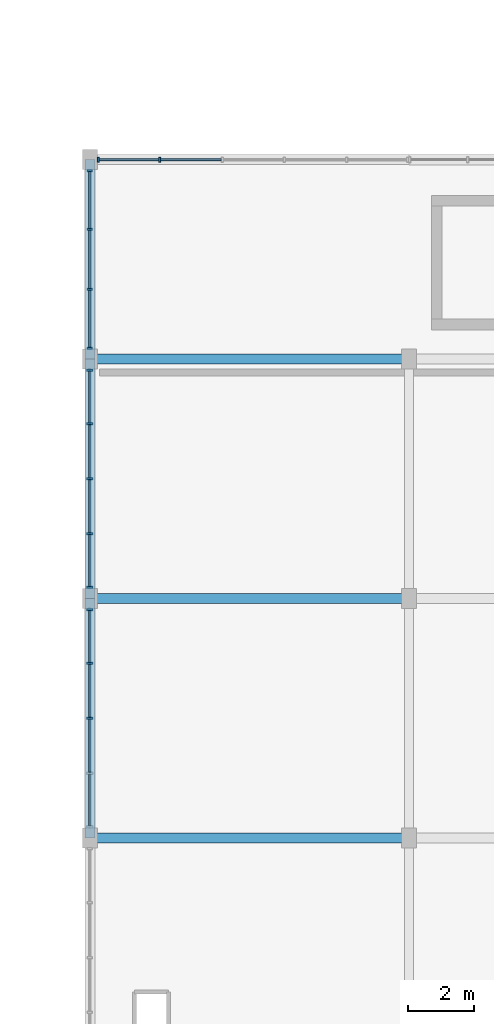
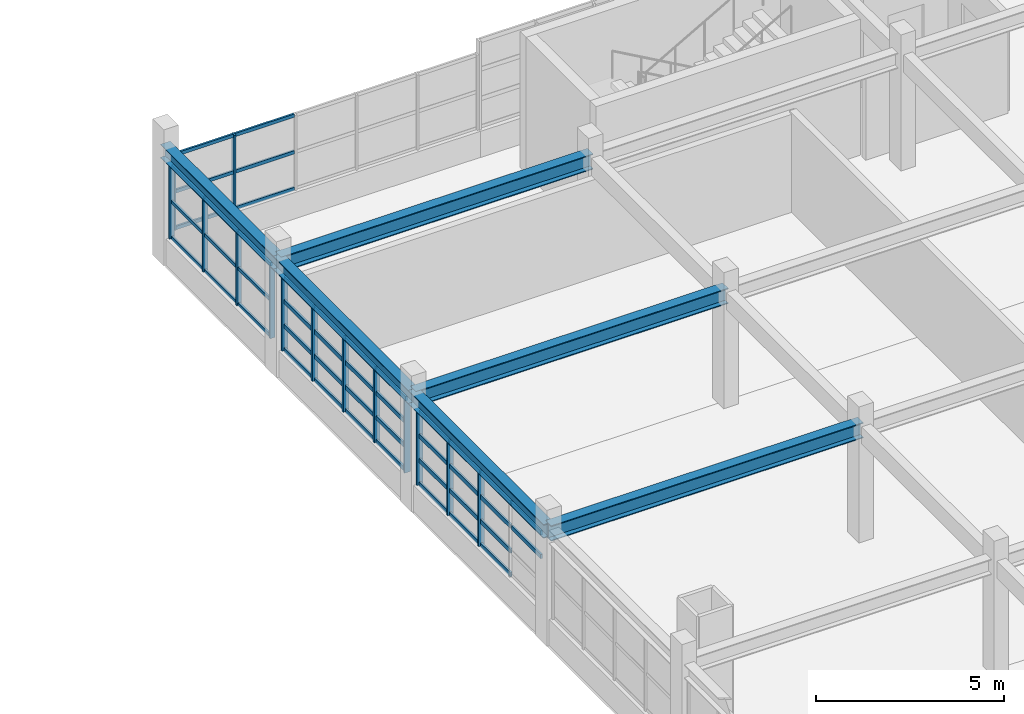
# One storey, part 10 of 69: 59 members, 6 beams, 4 elements without a shape of their own.
"""IFC4 building model written with IfcOpenShell, lengths in metres."""

from ifc_helpers import new_model, si_unit, direction, frame, origin, origin_2d, place, context, subcontext, project, spatial, rectangle, i_section, extrude, material, material_profile, profile_set, type_object, element, aggregate, save


model = new_model("IFC4")

# Units and contexts
model_context = context("Model", 3, precision=1e-05, world=origin(), true_north=direction((0.0, 1.0)))
body_context = subcontext(model_context, "Body", "Model", "MODEL_VIEW")
ifc_project = project(units=[si_unit("LENGTHUNIT", "METRE"), si_unit("AREAUNIT", "SQUARE_METRE"), si_unit("VOLUMEUNIT", "CUBIC_METRE"), si_unit("PLANEANGLEUNIT", "RADIAN"), si_unit("MASSUNIT", "GRAM", prefix="KILO")], contexts=[model_context])

# Site, building, storey
site_placement = place(None, origin())
site = spatial("IfcSite", under=ifc_project, at=site_placement, CompositionType="ELEMENT")
building_placement = place(site_placement, origin())
building = spatial("IfcBuilding", under=site, at=building_placement, Name="Nzembalo Square Collegiate School", CompositionType="ELEMENT")
storey_placement = place(building_placement, frame((0.0, 0.0, 5.10009765625)))
storey = spatial("IfcBuildingStorey", under=building, at=storey_placement, Name="L01", CompositionType="ELEMENT", Elevation=5.10009765625)

# Beams
ifc_material_1 = material(Name="Steel S355", Category="steel")
ifc_material_profile_1 = material_profile(ifc_material_1, i_section(OverallWidth=0.300048828125, OverallDepth=0.5, WebThickness=0.014404296875, FlangeThickness=0.028076171875, at=origin_2d()), Name="HEB 500")
ifc_profile_set_1 = profile_set([ifc_material_profile_1], Name="Steel S355")
beam_type_1 = type_object("IfcBeamType", Name="B07", PredefinedType="BEAM", material=ifc_profile_set_1)
for number, where, z_axis, x_axis, name in (
    (1, (130.800048828125, 30.0, 3.5), (1.0, 0.0, 0.0), (0.0, 1.0, 0.0), "Beam B07 L01"),
    (2, (130.800048828125, 37.199951171875, 3.5), (1.0, 0.0, 0.0), (0.0, 1.0, 0.0), "Beam B07 L01"),
    (3, (130.800048828125, 44.39990234375, 3.5), (1.0, 0.0, 0.0), (0.0, 1.0, 0.0), "Beam B07 L01"),
):
    element("IfcBeam", number, at=place(storey_placement, frame(where, z_axis=z_axis, x_axis=x_axis)), inside=storey, type_object=beam_type_1, Name=name, PredefinedType="BEAM", context=body_context, shape_type="SweptSolid", body=[
        extrude(i_section(OverallWidth=0.300048828125, OverallDepth=0.5, WebThickness=0.014404296875, FlangeThickness=0.028076171875, at=origin_2d()), origin(), (0.0, 0.0, 1.0), 9.599853515625),
    ])
ifc_material_2 = material(Name="Steel S355", Category="steel")
ifc_material_profile_2 = material_profile(ifc_material_2, i_section(OverallWidth=0.300048828125, OverallDepth=0.449951171875, WebThickness=0.013916015625, FlangeThickness=0.02587890625, at=origin_2d()), Name="HEB 450")
ifc_profile_set_2 = profile_set([ifc_material_profile_2], Name="Steel S355")
beam_type_2 = type_object("IfcBeamType", Name="B08", PredefinedType="BEAM", material=ifc_profile_set_2)
for number, where, z_axis, x_axis, name in (
    (4, (130.800048828125, 30.0, 3.52490234375), (0.0, 1.0, 0.0), (-1.0, 0.0, 0.0), "Beam B08 L01"),
    (5, (130.800048828125, 37.199951171875, 3.52490234375), (0.0, 1.0, 0.0), (-1.0, 0.0, 0.0), "Beam B08 L01"),
):
    element("IfcBeam", number, at=place(storey_placement, frame(where, z_axis=z_axis, x_axis=x_axis)), inside=storey, type_object=beam_type_2, Name=name, PredefinedType="BEAM", context=body_context, shape_type="SweptSolid", body=[
        extrude(i_section(OverallWidth=0.300048828125, OverallDepth=0.449951171875, WebThickness=0.013916015625, FlangeThickness=0.02587890625, at=origin_2d()), origin(), (0.0, 0.0, 1.0), 7.199951171875),
    ])
beam_placement = place(storey_placement, frame((130.800048828125, 44.39990234375, 3.52490234375), z_axis=(0.0, 1.0, 0.0), x_axis=(-1.0, 0.0, 0.0)))
element("IfcBeam", 6, at=beam_placement, inside=storey, type_object=beam_type_2, Name="Beam B08 L01", PredefinedType="BEAM", context=body_context, shape_type="SweptSolid", body=[
    extrude(i_section(OverallWidth=0.300048828125, OverallDepth=0.449951171875, WebThickness=0.013916015625, FlangeThickness=0.02587890625, at=origin_2d()), origin(), (0.0, 0.0, 1.0), 6.0),
])

# Curtain wall, members
ifc_material_3 = material(Name="Aluminium 6060-T66", Category="aluminium")
curtain_wall_type_1 = type_object("IfcCurtainWallType", Name="CW-01", PredefinedType="USERDEFINED", material=ifc_material_3)
curtain_wall_1_placement = place(storey_placement, origin())
curtain_wall_1 = element("IfcCurtainWall", 7, at=curtain_wall_1_placement, inside=storey, type_object=curtain_wall_type_1, Name="Curtain wall CW-01 cw:L01:056", ObjectType="UNITISED", PredefinedType="USERDEFINED")
ifc_material_4 = material(Name="Aluminium 6060-T66", Category="aluminium")
ifc_material_profile_3 = material_profile(ifc_material_4, rectangle(XDim=0.06005859375, YDim=0.179931640625, at=origin_2d()), Name="ALU M60x180")
ifc_profile_set_3 = profile_set([ifc_material_profile_3], Name="Aluminium 6060-T66")
member_type_1 = type_object("IfcMemberType", Name="ML01", PredefinedType="MULLION", material=ifc_profile_set_3)
member_1_placement = place(storey_placement, frame((130.800048828125, 33.60009765625, 0.849853515625), z_axis=(0.0, 0.0, 1.0), x_axis=(0.0, 1.0, 0.0)))
member_1 = element("IfcMember", 8, at=member_1_placement, type_object=member_type_1, Name="ML01 mullion 3", PredefinedType="MULLION", context=body_context, shape_type="SweptSolid", body=[
    extrude(rectangle(XDim=0.06005859375, YDim=0.179931640625, at=origin_2d()), origin(), (0.0, 0.0, 1.0), 2.39404296875),
])
member_2_placement = place(storey_placement, frame((130.800048828125, 35.2490234375, 0.849853515625), z_axis=(0.0, 0.0, 1.0), x_axis=(0.0, 1.0, 0.0)))
member_2 = element("IfcMember", 9, at=member_2_placement, type_object=member_type_1, Name="ML01 mullion 4", PredefinedType="MULLION", context=body_context, shape_type="SweptSolid", body=[
    extrude(rectangle(XDim=0.06005859375, YDim=0.179931640625, at=origin_2d()), origin(), (0.0, 0.0, 1.0), 2.39404296875),
])
member_3_placement = place(storey_placement, frame((130.800048828125, 36.867919921875, 0.849853515625), z_axis=(0.0, 0.0, 1.0), x_axis=(0.0, 1.0, 0.0)))
member_3 = element("IfcMember", 10, at=member_3_placement, type_object=member_type_1, Name="ML01 mullion 5", PredefinedType="MULLION", context=body_context, shape_type="SweptSolid", body=[
    extrude(rectangle(XDim=0.06005859375, YDim=0.179931640625, at=origin_2d()), origin(), (0.0, 0.0, 1.0), 2.39404296875),
])

ifc_material_5 = material(Name="Aluminium 6060-T66", Category="aluminium")
curtain_wall_type_2 = type_object("IfcCurtainWallType", Name="CW-02", PredefinedType="USERDEFINED", material=ifc_material_5)
curtain_wall_2_placement = place(storey_placement, origin())
curtain_wall_2 = element("IfcCurtainWall", 11, at=curtain_wall_2_placement, inside=storey, type_object=curtain_wall_type_2, Name="Curtain wall CW-02 cw:L01:057", ObjectType="UNITISED", PredefinedType="USERDEFINED")
member_4_placement = place(storey_placement, frame((130.800048828125, 37.531982421875, 0.849853515625), z_axis=(0.0, 0.0, 1.0), x_axis=(0.0, 1.0, 0.0)))
member_4 = element("IfcMember", 12, at=member_4_placement, type_object=member_type_1, Name="ML01 mullion 1", PredefinedType="MULLION", context=body_context, shape_type="SweptSolid", body=[
    extrude(rectangle(XDim=0.06005859375, YDim=0.179931640625, at=origin_2d()), origin(), (0.0, 0.0, 1.0), 2.39404296875),
])
member_5_placement = place(storey_placement, frame((130.800048828125, 39.15087890625, 0.849853515625), z_axis=(0.0, 0.0, 1.0), x_axis=(0.0, 1.0, 0.0)))
member_5 = element("IfcMember", 13, at=member_5_placement, type_object=member_type_1, Name="ML01 mullion 2", PredefinedType="MULLION", context=body_context, shape_type="SweptSolid", body=[
    extrude(rectangle(XDim=0.06005859375, YDim=0.179931640625, at=origin_2d()), origin(), (0.0, 0.0, 1.0), 2.39404296875),
])
member_6_placement = place(storey_placement, frame((130.800048828125, 40.800048828125, 0.849853515625), z_axis=(0.0, 0.0, 1.0), x_axis=(0.0, 1.0, 0.0)))
member_6 = element("IfcMember", 14, at=member_6_placement, type_object=member_type_1, Name="ML01 mullion 3", PredefinedType="MULLION", context=body_context, shape_type="SweptSolid", body=[
    extrude(rectangle(XDim=0.06005859375, YDim=0.179931640625, at=origin_2d()), origin(), (0.0, 0.0, 1.0), 2.39404296875),
])
member_7_placement = place(storey_placement, frame((130.800048828125, 42.448974609375, 0.849853515625), z_axis=(0.0, 0.0, 1.0), x_axis=(0.0, 1.0, 0.0)))
member_7 = element("IfcMember", 15, at=member_7_placement, type_object=member_type_1, Name="ML01 mullion 4", PredefinedType="MULLION", context=body_context, shape_type="SweptSolid", body=[
    extrude(rectangle(XDim=0.06005859375, YDim=0.179931640625, at=origin_2d()), origin(), (0.0, 0.0, 1.0), 2.39404296875),
])
member_8_placement = place(storey_placement, frame((130.800048828125, 44.068115234375, 0.849853515625), z_axis=(0.0, 0.0, 1.0), x_axis=(0.0, 1.0, 0.0)))
member_8 = element("IfcMember", 16, at=member_8_placement, type_object=member_type_1, Name="ML01 mullion 5", PredefinedType="MULLION", context=body_context, shape_type="SweptSolid", body=[
    extrude(rectangle(XDim=0.06005859375, YDim=0.179931640625, at=origin_2d()), origin(), (0.0, 0.0, 1.0), 2.39404296875),
])

ifc_material_6 = material(Name="Aluminium 6060-T66", Category="aluminium")
curtain_wall_type_3 = type_object("IfcCurtainWallType", Name="CW-15", PredefinedType="USERDEFINED", material=ifc_material_6)
curtain_wall_3_placement = place(storey_placement, origin())
curtain_wall_3 = element("IfcCurtainWall", 17, at=curtain_wall_3_placement, inside=storey, type_object=curtain_wall_type_3, Name="Curtain wall CW-15 cw:L01:058", ObjectType="LANCET", PredefinedType="USERDEFINED")
ifc_material_7 = material(Name="Aluminium 6060-T66", Category="aluminium")
ifc_material_profile_4 = material_profile(ifc_material_7, rectangle(XDim=0.06005859375, YDim=0.14990234375, at=origin_2d()), Name="ALU M60x150")
ifc_profile_set_4 = profile_set([ifc_material_profile_4], Name="Aluminium 6060-T66")
member_type_2 = type_object("IfcMemberType", Name="ML02", PredefinedType="MULLION", material=ifc_profile_set_4)
member_9_placement = place(storey_placement, frame((130.800048828125, 44.73193359375, 0.849853515625), z_axis=(0.0, 0.0, 1.0), x_axis=(0.0, 1.0, 0.0)))
member_9 = element("IfcMember", 18, at=member_9_placement, type_object=member_type_2, Name="ML02 mullion 1", PredefinedType="MULLION", context=body_context, shape_type="SweptSolid", body=[
    extrude(rectangle(XDim=0.06005859375, YDim=0.14990234375, at=origin_2d()), origin(), (0.0, 0.0, 1.0), 2.39404296875),
])
member_10_placement = place(storey_placement, frame((130.800048828125, 46.500732421875, 0.849853515625), z_axis=(0.0, 0.0, 1.0), x_axis=(0.0, 1.0, 0.0)))
member_10 = element("IfcMember", 19, at=member_10_placement, type_object=member_type_2, Name="ML02 mullion 2", PredefinedType="MULLION", context=body_context, shape_type="SweptSolid", body=[
    extrude(rectangle(XDim=0.06005859375, YDim=0.14990234375, at=origin_2d()), origin(), (0.0, 0.0, 1.0), 2.39404296875),
])
member_11_placement = place(storey_placement, frame((130.800048828125, 48.29931640625, 0.849853515625), z_axis=(0.0, 0.0, 1.0), x_axis=(0.0, 1.0, 0.0)))
member_11 = element("IfcMember", 20, at=member_11_placement, type_object=member_type_2, Name="ML02 mullion 3", PredefinedType="MULLION", context=body_context, shape_type="SweptSolid", body=[
    extrude(rectangle(XDim=0.06005859375, YDim=0.14990234375, at=origin_2d()), origin(), (0.0, 0.0, 1.0), 2.39404296875),
])
member_12_placement = place(storey_placement, frame((130.800048828125, 50.068115234375, 0.849853515625), z_axis=(0.0, 0.0, 1.0), x_axis=(0.0, 1.0, 0.0)))
member_12 = element("IfcMember", 21, at=member_12_placement, type_object=member_type_2, Name="ML02 mullion 4", PredefinedType="MULLION", context=body_context, shape_type="SweptSolid", body=[
    extrude(rectangle(XDim=0.06005859375, YDim=0.14990234375, at=origin_2d()), origin(), (0.0, 0.0, 1.0), 2.39404296875),
])

ifc_material_8 = material(Name="Aluminium 6060-T66", Category="aluminium")
curtain_wall_type_4 = type_object("IfcCurtainWallType", Name="CW-12", PredefinedType="USERDEFINED", material=ifc_material_8)
curtain_wall_4_placement = place(storey_placement, origin())
curtain_wall_4 = element("IfcCurtainWall", 22, at=curtain_wall_4_placement, inside=storey, type_object=curtain_wall_type_4, Name="Curtain wall CW-12 cw:L01:059", ObjectType="LANCET", PredefinedType="USERDEFINED")
member_13_placement = place(storey_placement, frame((131.056884765625, 50.39990234375, 0.849853515625), z_axis=(0.0, 0.0, 1.0), x_axis=(1.0, 0.0, 0.0)))
member_13 = element("IfcMember", 23, at=member_13_placement, type_object=member_type_2, Name="ML02 mullion 1", PredefinedType="MULLION", context=body_context, shape_type="SweptSolid", body=[
    extrude(rectangle(XDim=0.06005859375, YDim=0.14990234375, at=origin_2d()), origin(), (0.0, 0.0, 1.0), 2.444091796875),
])
member_14_placement = place(storey_placement, frame((132.901611328125, 50.39990234375, 0.849853515625), z_axis=(0.0, 0.0, 1.0), x_axis=(1.0, 0.0, 0.0)))
member_14 = element("IfcMember", 24, at=member_14_placement, type_object=member_type_2, Name="ML02 mullion 2", PredefinedType="MULLION", context=body_context, shape_type="SweptSolid", body=[
    extrude(rectangle(XDim=0.06005859375, YDim=0.14990234375, at=origin_2d()), origin(), (0.0, 0.0, 1.0), 2.444091796875),
])

# Member
ifc_material_9 = material(Name="Aluminium 6060-T66", Category="aluminium")
ifc_material_profile_5 = material_profile(ifc_material_9, rectangle(XDim=0.06005859375, YDim=0.139892578125, at=origin_2d()), Name="ALU T60x140")
ifc_profile_set_5 = profile_set([ifc_material_profile_5], Name="Aluminium 6060-T66")
member_type_3 = type_object("IfcMemberType", Name="TR01", PredefinedType="USERDEFINED", material=ifc_profile_set_5)
member_15_placement = place(storey_placement, frame((130.800048828125, 31.98095703125, 0.8798828125), z_axis=(0.0, 1.0, 0.0), x_axis=(-1.0, 0.0, 0.0)))
member_15 = element("IfcMember", 25, at=member_15_placement, type_object=member_type_3, Name="TR01 transom 1-2", ObjectType="TRANSOM", PredefinedType="USERDEFINED", context=body_context, shape_type="SweptSolid", body=[
    extrude(rectangle(XDim=0.06005859375, YDim=0.139892578125, at=origin_2d()), origin(), (0.0, 0.0, 1.0), 1.589111328125),
])

member_16_placement = place(storey_placement, frame((130.800048828125, 33.6298828125, 0.8798828125), z_axis=(0.0, 1.0, 0.0), x_axis=(-1.0, 0.0, 0.0)))
member_16 = element("IfcMember", 26, at=member_16_placement, type_object=member_type_3, Name="TR01 transom 1-3", ObjectType="TRANSOM", PredefinedType="USERDEFINED", context=body_context, shape_type="SweptSolid", body=[
    extrude(rectangle(XDim=0.06005859375, YDim=0.139892578125, at=origin_2d()), origin(), (0.0, 0.0, 1.0), 1.589111328125),
])

member_17_placement = place(storey_placement, frame((130.800048828125, 35.279052734375, 0.8798828125), z_axis=(0.0, 1.0, 0.0), x_axis=(-1.0, 0.0, 0.0)))
member_17 = element("IfcMember", 27, at=member_17_placement, type_object=member_type_3, Name="TR01 transom 1-4", ObjectType="TRANSOM", PredefinedType="USERDEFINED", context=body_context, shape_type="SweptSolid", body=[
    extrude(rectangle(XDim=0.06005859375, YDim=0.139892578125, at=origin_2d()), origin(), (0.0, 0.0, 1.0), 1.558837890625),
])

member_18_placement = place(storey_placement, frame((130.800048828125, 31.98095703125, 1.64794921875), z_axis=(0.0, 1.0, 0.0), x_axis=(-1.0, 0.0, 0.0)))
member_18 = element("IfcMember", 28, at=member_18_placement, type_object=member_type_3, Name="TR01 transom 2-2", ObjectType="TRANSOM", PredefinedType="USERDEFINED", context=body_context, shape_type="SweptSolid", body=[
    extrude(rectangle(XDim=0.06005859375, YDim=0.139892578125, at=origin_2d()), origin(), (0.0, 0.0, 1.0), 1.589111328125),
])

member_19_placement = place(storey_placement, frame((130.800048828125, 33.6298828125, 1.64794921875), z_axis=(0.0, 1.0, 0.0), x_axis=(-1.0, 0.0, 0.0)))
member_19 = element("IfcMember", 29, at=member_19_placement, type_object=member_type_3, Name="TR01 transom 2-3", ObjectType="TRANSOM", PredefinedType="USERDEFINED", context=body_context, shape_type="SweptSolid", body=[
    extrude(rectangle(XDim=0.06005859375, YDim=0.139892578125, at=origin_2d()), origin(), (0.0, 0.0, 1.0), 1.589111328125),
])

member_20_placement = place(storey_placement, frame((130.800048828125, 35.279052734375, 1.64794921875), z_axis=(0.0, 1.0, 0.0), x_axis=(-1.0, 0.0, 0.0)))
member_20 = element("IfcMember", 30, at=member_20_placement, type_object=member_type_3, Name="TR01 transom 2-4", ObjectType="TRANSOM", PredefinedType="USERDEFINED", context=body_context, shape_type="SweptSolid", body=[
    extrude(rectangle(XDim=0.06005859375, YDim=0.139892578125, at=origin_2d()), origin(), (0.0, 0.0, 1.0), 1.558837890625),
])

member_21_placement = place(storey_placement, frame((130.800048828125, 30.362060546875, 2.44580078125), z_axis=(0.0, 1.0, 0.0), x_axis=(-1.0, 0.0, 0.0)))
member_21 = element("IfcMember", 31, at=member_21_placement, type_object=member_type_3, Name="TR01 transom 3-1", ObjectType="TRANSOM", PredefinedType="USERDEFINED", context=body_context, shape_type="SweptSolid", body=[
    extrude(rectangle(XDim=0.06005859375, YDim=0.139892578125, at=origin_2d()), origin(), (0.0, 0.0, 1.0), 1.558837890625),
])

member_22_placement = place(storey_placement, frame((130.800048828125, 31.98095703125, 2.44580078125), z_axis=(0.0, 1.0, 0.0), x_axis=(-1.0, 0.0, 0.0)))
member_22 = element("IfcMember", 32, at=member_22_placement, type_object=member_type_3, Name="TR01 transom 3-2", ObjectType="TRANSOM", PredefinedType="USERDEFINED", context=body_context, shape_type="SweptSolid", body=[
    extrude(rectangle(XDim=0.06005859375, YDim=0.139892578125, at=origin_2d()), origin(), (0.0, 0.0, 1.0), 1.589111328125),
])

member_23_placement = place(storey_placement, frame((130.800048828125, 33.6298828125, 2.44580078125), z_axis=(0.0, 1.0, 0.0), x_axis=(-1.0, 0.0, 0.0)))
member_23 = element("IfcMember", 33, at=member_23_placement, type_object=member_type_3, Name="TR01 transom 3-3", ObjectType="TRANSOM", PredefinedType="USERDEFINED", context=body_context, shape_type="SweptSolid", body=[
    extrude(rectangle(XDim=0.06005859375, YDim=0.139892578125, at=origin_2d()), origin(), (0.0, 0.0, 1.0), 1.589111328125),
])

member_24_placement = place(storey_placement, frame((130.800048828125, 35.279052734375, 2.44580078125), z_axis=(0.0, 1.0, 0.0), x_axis=(-1.0, 0.0, 0.0)))
member_24 = element("IfcMember", 34, at=member_24_placement, type_object=member_type_3, Name="TR01 transom 3-4", ObjectType="TRANSOM", PredefinedType="USERDEFINED", context=body_context, shape_type="SweptSolid", body=[
    extrude(rectangle(XDim=0.06005859375, YDim=0.139892578125, at=origin_2d()), origin(), (0.0, 0.0, 1.0), 1.558837890625),
])

member_25_placement = place(storey_placement, frame((130.800048828125, 30.362060546875, 3.2138671875), z_axis=(0.0, 1.0, 0.0), x_axis=(-1.0, 0.0, 0.0)))
member_25 = element("IfcMember", 35, at=member_25_placement, type_object=member_type_3, Name="TR01 transom 4-1", ObjectType="TRANSOM", PredefinedType="USERDEFINED", context=body_context, shape_type="SweptSolid", body=[
    extrude(rectangle(XDim=0.06005859375, YDim=0.139892578125, at=origin_2d()), origin(), (0.0, 0.0, 1.0), 1.558837890625),
])

member_26_placement = place(storey_placement, frame((130.800048828125, 31.98095703125, 3.2138671875), z_axis=(0.0, 1.0, 0.0), x_axis=(-1.0, 0.0, 0.0)))
member_26 = element("IfcMember", 36, at=member_26_placement, type_object=member_type_3, Name="TR01 transom 4-2", ObjectType="TRANSOM", PredefinedType="USERDEFINED", context=body_context, shape_type="SweptSolid", body=[
    extrude(rectangle(XDim=0.06005859375, YDim=0.139892578125, at=origin_2d()), origin(), (0.0, 0.0, 1.0), 1.589111328125),
])

member_27_placement = place(storey_placement, frame((130.800048828125, 33.6298828125, 3.2138671875), z_axis=(0.0, 1.0, 0.0), x_axis=(-1.0, 0.0, 0.0)))
member_27 = element("IfcMember", 37, at=member_27_placement, type_object=member_type_3, Name="TR01 transom 4-3", ObjectType="TRANSOM", PredefinedType="USERDEFINED", context=body_context, shape_type="SweptSolid", body=[
    extrude(rectangle(XDim=0.06005859375, YDim=0.139892578125, at=origin_2d()), origin(), (0.0, 0.0, 1.0), 1.589111328125),
])

member_28_placement = place(storey_placement, frame((130.800048828125, 35.279052734375, 3.2138671875), z_axis=(0.0, 1.0, 0.0), x_axis=(-1.0, 0.0, 0.0)))
member_28 = element("IfcMember", 38, at=member_28_placement, type_object=member_type_3, Name="TR01 transom 4-4", ObjectType="TRANSOM", PredefinedType="USERDEFINED", context=body_context, shape_type="SweptSolid", body=[
    extrude(rectangle(XDim=0.06005859375, YDim=0.139892578125, at=origin_2d()), origin(), (0.0, 0.0, 1.0), 1.558837890625),
])

aggregate(curtain_wall_1, [member_1, member_2, member_3, member_15, member_16, member_17, member_18, member_19, member_20, member_21, member_22, member_23, member_24, member_25, member_26, member_27, member_28])

member_29_placement = place(storey_placement, frame((130.800048828125, 37.56201171875, 0.8798828125), z_axis=(0.0, 1.0, 0.0), x_axis=(-1.0, 0.0, 0.0)))
member_29 = element("IfcMember", 39, at=member_29_placement, type_object=member_type_3, Name="TR01 transom 1-1", ObjectType="TRANSOM", PredefinedType="USERDEFINED", context=body_context, shape_type="SweptSolid", body=[
    extrude(rectangle(XDim=0.06005859375, YDim=0.139892578125, at=origin_2d()), origin(), (0.0, 0.0, 1.0), 1.55908203125),
])

member_30_placement = place(storey_placement, frame((130.800048828125, 39.180908203125, 0.8798828125), z_axis=(0.0, 1.0, 0.0), x_axis=(-1.0, 0.0, 0.0)))
member_30 = element("IfcMember", 40, at=member_30_placement, type_object=member_type_3, Name="TR01 transom 1-2", ObjectType="TRANSOM", PredefinedType="USERDEFINED", context=body_context, shape_type="SweptSolid", body=[
    extrude(rectangle(XDim=0.06005859375, YDim=0.139892578125, at=origin_2d()), origin(), (0.0, 0.0, 1.0), 1.589111328125),
])

member_31_placement = place(storey_placement, frame((130.800048828125, 40.830078125, 0.8798828125), z_axis=(0.0, 1.0, 0.0), x_axis=(-1.0, 0.0, 0.0)))
member_31 = element("IfcMember", 41, at=member_31_placement, type_object=member_type_3, Name="TR01 transom 1-3", ObjectType="TRANSOM", PredefinedType="USERDEFINED", context=body_context, shape_type="SweptSolid", body=[
    extrude(rectangle(XDim=0.06005859375, YDim=0.139892578125, at=origin_2d()), origin(), (0.0, 0.0, 1.0), 1.5888671875),
])

member_32_placement = place(storey_placement, frame((130.800048828125, 42.47900390625, 0.8798828125), z_axis=(0.0, 1.0, 0.0), x_axis=(-1.0, 0.0, 0.0)))
member_32 = element("IfcMember", 42, at=member_32_placement, type_object=member_type_3, Name="TR01 transom 1-4", ObjectType="TRANSOM", PredefinedType="USERDEFINED", context=body_context, shape_type="SweptSolid", body=[
    extrude(rectangle(XDim=0.06005859375, YDim=0.139892578125, at=origin_2d()), origin(), (0.0, 0.0, 1.0), 1.55908203125),
])

member_33_placement = place(storey_placement, frame((130.800048828125, 37.56201171875, 1.64794921875), z_axis=(0.0, 1.0, 0.0), x_axis=(-1.0, 0.0, 0.0)))
member_33 = element("IfcMember", 43, at=member_33_placement, type_object=member_type_3, Name="TR01 transom 2-1", ObjectType="TRANSOM", PredefinedType="USERDEFINED", context=body_context, shape_type="SweptSolid", body=[
    extrude(rectangle(XDim=0.06005859375, YDim=0.139892578125, at=origin_2d()), origin(), (0.0, 0.0, 1.0), 1.55908203125),
])

member_34_placement = place(storey_placement, frame((130.800048828125, 39.180908203125, 1.64794921875), z_axis=(0.0, 1.0, 0.0), x_axis=(-1.0, 0.0, 0.0)))
member_34 = element("IfcMember", 44, at=member_34_placement, type_object=member_type_3, Name="TR01 transom 2-2", ObjectType="TRANSOM", PredefinedType="USERDEFINED", context=body_context, shape_type="SweptSolid", body=[
    extrude(rectangle(XDim=0.06005859375, YDim=0.139892578125, at=origin_2d()), origin(), (0.0, 0.0, 1.0), 1.589111328125),
])

member_35_placement = place(storey_placement, frame((130.800048828125, 40.830078125, 1.64794921875), z_axis=(0.0, 1.0, 0.0), x_axis=(-1.0, 0.0, 0.0)))
member_35 = element("IfcMember", 45, at=member_35_placement, type_object=member_type_3, Name="TR01 transom 2-3", ObjectType="TRANSOM", PredefinedType="USERDEFINED", context=body_context, shape_type="SweptSolid", body=[
    extrude(rectangle(XDim=0.06005859375, YDim=0.139892578125, at=origin_2d()), origin(), (0.0, 0.0, 1.0), 1.5888671875),
])

member_36_placement = place(storey_placement, frame((130.800048828125, 42.47900390625, 1.64794921875), z_axis=(0.0, 1.0, 0.0), x_axis=(-1.0, 0.0, 0.0)))
member_36 = element("IfcMember", 46, at=member_36_placement, type_object=member_type_3, Name="TR01 transom 2-4", ObjectType="TRANSOM", PredefinedType="USERDEFINED", context=body_context, shape_type="SweptSolid", body=[
    extrude(rectangle(XDim=0.06005859375, YDim=0.139892578125, at=origin_2d()), origin(), (0.0, 0.0, 1.0), 1.55908203125),
])

member_37_placement = place(storey_placement, frame((130.800048828125, 37.56201171875, 2.44580078125), z_axis=(0.0, 1.0, 0.0), x_axis=(-1.0, 0.0, 0.0)))
member_37 = element("IfcMember", 47, at=member_37_placement, type_object=member_type_3, Name="TR01 transom 3-1", ObjectType="TRANSOM", PredefinedType="USERDEFINED", context=body_context, shape_type="SweptSolid", body=[
    extrude(rectangle(XDim=0.06005859375, YDim=0.139892578125, at=origin_2d()), origin(), (0.0, 0.0, 1.0), 1.55908203125),
])

member_38_placement = place(storey_placement, frame((130.800048828125, 39.180908203125, 2.44580078125), z_axis=(0.0, 1.0, 0.0), x_axis=(-1.0, 0.0, 0.0)))
member_38 = element("IfcMember", 48, at=member_38_placement, type_object=member_type_3, Name="TR01 transom 3-2", ObjectType="TRANSOM", PredefinedType="USERDEFINED", context=body_context, shape_type="SweptSolid", body=[
    extrude(rectangle(XDim=0.06005859375, YDim=0.139892578125, at=origin_2d()), origin(), (0.0, 0.0, 1.0), 1.589111328125),
])

member_39_placement = place(storey_placement, frame((130.800048828125, 40.830078125, 2.44580078125), z_axis=(0.0, 1.0, 0.0), x_axis=(-1.0, 0.0, 0.0)))
member_39 = element("IfcMember", 49, at=member_39_placement, type_object=member_type_3, Name="TR01 transom 3-3", ObjectType="TRANSOM", PredefinedType="USERDEFINED", context=body_context, shape_type="SweptSolid", body=[
    extrude(rectangle(XDim=0.06005859375, YDim=0.139892578125, at=origin_2d()), origin(), (0.0, 0.0, 1.0), 1.5888671875),
])

member_40_placement = place(storey_placement, frame((130.800048828125, 42.47900390625, 2.44580078125), z_axis=(0.0, 1.0, 0.0), x_axis=(-1.0, 0.0, 0.0)))
member_40 = element("IfcMember", 50, at=member_40_placement, type_object=member_type_3, Name="TR01 transom 3-4", ObjectType="TRANSOM", PredefinedType="USERDEFINED", context=body_context, shape_type="SweptSolid", body=[
    extrude(rectangle(XDim=0.06005859375, YDim=0.139892578125, at=origin_2d()), origin(), (0.0, 0.0, 1.0), 1.55908203125),
])

member_41_placement = place(storey_placement, frame((130.800048828125, 37.56201171875, 3.2138671875), z_axis=(0.0, 1.0, 0.0), x_axis=(-1.0, 0.0, 0.0)))
member_41 = element("IfcMember", 51, at=member_41_placement, type_object=member_type_3, Name="TR01 transom 4-1", ObjectType="TRANSOM", PredefinedType="USERDEFINED", context=body_context, shape_type="SweptSolid", body=[
    extrude(rectangle(XDim=0.06005859375, YDim=0.139892578125, at=origin_2d()), origin(), (0.0, 0.0, 1.0), 1.55908203125),
])

member_42_placement = place(storey_placement, frame((130.800048828125, 39.180908203125, 3.2138671875), z_axis=(0.0, 1.0, 0.0), x_axis=(-1.0, 0.0, 0.0)))
member_42 = element("IfcMember", 52, at=member_42_placement, type_object=member_type_3, Name="TR01 transom 4-2", ObjectType="TRANSOM", PredefinedType="USERDEFINED", context=body_context, shape_type="SweptSolid", body=[
    extrude(rectangle(XDim=0.06005859375, YDim=0.139892578125, at=origin_2d()), origin(), (0.0, 0.0, 1.0), 1.589111328125),
])

member_43_placement = place(storey_placement, frame((130.800048828125, 40.830078125, 3.2138671875), z_axis=(0.0, 1.0, 0.0), x_axis=(-1.0, 0.0, 0.0)))
member_43 = element("IfcMember", 53, at=member_43_placement, type_object=member_type_3, Name="TR01 transom 4-3", ObjectType="TRANSOM", PredefinedType="USERDEFINED", context=body_context, shape_type="SweptSolid", body=[
    extrude(rectangle(XDim=0.06005859375, YDim=0.139892578125, at=origin_2d()), origin(), (0.0, 0.0, 1.0), 1.5888671875),
])

member_44_placement = place(storey_placement, frame((130.800048828125, 42.47900390625, 3.2138671875), z_axis=(0.0, 1.0, 0.0), x_axis=(-1.0, 0.0, 0.0)))
member_44 = element("IfcMember", 54, at=member_44_placement, type_object=member_type_3, Name="TR01 transom 4-4", ObjectType="TRANSOM", PredefinedType="USERDEFINED", context=body_context, shape_type="SweptSolid", body=[
    extrude(rectangle(XDim=0.06005859375, YDim=0.139892578125, at=origin_2d()), origin(), (0.0, 0.0, 1.0), 1.55908203125),
])

aggregate(curtain_wall_2, [member_4, member_5, member_6, member_7, member_8, member_29, member_30, member_31, member_32, member_33, member_34, member_35, member_36, member_37, member_38, member_39, member_40, member_41, member_42, member_43, member_44])

ifc_material_10 = material(Name="Aluminium 6060-T66", Category="aluminium")
ifc_material_profile_6 = material_profile(ifc_material_10, rectangle(XDim=0.06005859375, YDim=0.110107421875, at=origin_2d()), Name="ALU T60x110")
ifc_profile_set_6 = profile_set([ifc_material_profile_6], Name="Aluminium 6060-T66")
member_type_4 = type_object("IfcMemberType", Name="TR02", PredefinedType="USERDEFINED", material=ifc_profile_set_6)
member_45_placement = place(storey_placement, frame((130.800048828125, 44.761962890625, 0.8798828125), z_axis=(0.0, 1.0, 0.0), x_axis=(-1.0, 0.0, 0.0)))
member_45 = element("IfcMember", 55, at=member_45_placement, type_object=member_type_4, Name="TR02 transom 1-1", ObjectType="TRANSOM", PredefinedType="USERDEFINED", context=body_context, shape_type="SweptSolid", body=[
    extrude(rectangle(XDim=0.06005859375, YDim=0.110107421875, at=origin_2d()), origin(), (0.0, 0.0, 1.0), 1.708740234375),
])

member_46_placement = place(storey_placement, frame((130.800048828125, 46.53076171875, 0.8798828125), z_axis=(0.0, 1.0, 0.0), x_axis=(-1.0, 0.0, 0.0)))
member_46 = element("IfcMember", 56, at=member_46_placement, type_object=member_type_4, Name="TR02 transom 1-2", ObjectType="TRANSOM", PredefinedType="USERDEFINED", context=body_context, shape_type="SweptSolid", body=[
    extrude(rectangle(XDim=0.06005859375, YDim=0.110107421875, at=origin_2d()), origin(), (0.0, 0.0, 1.0), 1.738525390625),
])

member_47_placement = place(storey_placement, frame((130.800048828125, 48.329345703125, 0.8798828125), z_axis=(0.0, 1.0, 0.0), x_axis=(-1.0, 0.0, 0.0)))
member_47 = element("IfcMember", 57, at=member_47_placement, type_object=member_type_4, Name="TR02 transom 1-3", ObjectType="TRANSOM", PredefinedType="USERDEFINED", context=body_context, shape_type="SweptSolid", body=[
    extrude(rectangle(XDim=0.06005859375, YDim=0.110107421875, at=origin_2d()), origin(), (0.0, 0.0, 1.0), 1.708740234375),
])

member_48_placement = place(storey_placement, frame((130.800048828125, 44.761962890625, 2.046875), z_axis=(0.0, 1.0, 0.0), x_axis=(-1.0, 0.0, 0.0)))
member_48 = element("IfcMember", 58, at=member_48_placement, type_object=member_type_4, Name="TR02 transom 2-1", ObjectType="TRANSOM", PredefinedType="USERDEFINED", context=body_context, shape_type="SweptSolid", body=[
    extrude(rectangle(XDim=0.06005859375, YDim=0.110107421875, at=origin_2d()), origin(), (0.0, 0.0, 1.0), 1.708740234375),
])

member_49_placement = place(storey_placement, frame((130.800048828125, 46.53076171875, 2.046875), z_axis=(0.0, 1.0, 0.0), x_axis=(-1.0, 0.0, 0.0)))
member_49 = element("IfcMember", 59, at=member_49_placement, type_object=member_type_4, Name="TR02 transom 2-2", ObjectType="TRANSOM", PredefinedType="USERDEFINED", context=body_context, shape_type="SweptSolid", body=[
    extrude(rectangle(XDim=0.06005859375, YDim=0.110107421875, at=origin_2d()), origin(), (0.0, 0.0, 1.0), 1.738525390625),
])

member_50_placement = place(storey_placement, frame((130.800048828125, 48.329345703125, 2.046875), z_axis=(0.0, 1.0, 0.0), x_axis=(-1.0, 0.0, 0.0)))
member_50 = element("IfcMember", 60, at=member_50_placement, type_object=member_type_4, Name="TR02 transom 2-3", ObjectType="TRANSOM", PredefinedType="USERDEFINED", context=body_context, shape_type="SweptSolid", body=[
    extrude(rectangle(XDim=0.06005859375, YDim=0.110107421875, at=origin_2d()), origin(), (0.0, 0.0, 1.0), 1.708740234375),
])

member_51_placement = place(storey_placement, frame((130.800048828125, 44.761962890625, 3.2138671875), z_axis=(0.0, 1.0, 0.0), x_axis=(-1.0, 0.0, 0.0)))
member_51 = element("IfcMember", 61, at=member_51_placement, type_object=member_type_4, Name="TR02 transom 3-1", ObjectType="TRANSOM", PredefinedType="USERDEFINED", context=body_context, shape_type="SweptSolid", body=[
    extrude(rectangle(XDim=0.06005859375, YDim=0.110107421875, at=origin_2d()), origin(), (0.0, 0.0, 1.0), 1.708740234375),
])

member_52_placement = place(storey_placement, frame((130.800048828125, 46.53076171875, 3.2138671875), z_axis=(0.0, 1.0, 0.0), x_axis=(-1.0, 0.0, 0.0)))
member_52 = element("IfcMember", 62, at=member_52_placement, type_object=member_type_4, Name="TR02 transom 3-2", ObjectType="TRANSOM", PredefinedType="USERDEFINED", context=body_context, shape_type="SweptSolid", body=[
    extrude(rectangle(XDim=0.06005859375, YDim=0.110107421875, at=origin_2d()), origin(), (0.0, 0.0, 1.0), 1.738525390625),
])

member_53_placement = place(storey_placement, frame((130.800048828125, 48.329345703125, 3.2138671875), z_axis=(0.0, 1.0, 0.0), x_axis=(-1.0, 0.0, 0.0)))
member_53 = element("IfcMember", 63, at=member_53_placement, type_object=member_type_4, Name="TR02 transom 3-3", ObjectType="TRANSOM", PredefinedType="USERDEFINED", context=body_context, shape_type="SweptSolid", body=[
    extrude(rectangle(XDim=0.06005859375, YDim=0.110107421875, at=origin_2d()), origin(), (0.0, 0.0, 1.0), 1.708740234375),
])

aggregate(curtain_wall_3, [member_9, member_10, member_11, member_12, member_45, member_46, member_47, member_48, member_49, member_50, member_51, member_52, member_53])

member_54_placement = place(storey_placement, frame((131.0869140625, 50.39990234375, 0.8798828125), z_axis=(1.0, 0.0, 0.0), x_axis=(0.0, 1.0, 0.0)))
member_54 = element("IfcMember", 64, at=member_54_placement, type_object=member_type_4, Name="TR02 transom 1-1", ObjectType="TRANSOM", PredefinedType="USERDEFINED", context=body_context, shape_type="SweptSolid", body=[
    extrude(rectangle(XDim=0.06005859375, YDim=0.110107421875, at=origin_2d()), origin(), (0.0, 0.0, 1.0), 1.78466796875),
])

member_55_placement = place(storey_placement, frame((132.931640625, 50.39990234375, 0.8798828125), z_axis=(1.0, 0.0, 0.0), x_axis=(0.0, 1.0, 0.0)))
member_55 = element("IfcMember", 65, at=member_55_placement, type_object=member_type_4, Name="TR02 transom 1-2", ObjectType="TRANSOM", PredefinedType="USERDEFINED", context=body_context, shape_type="SweptSolid", body=[
    extrude(rectangle(XDim=0.06005859375, YDim=0.110107421875, at=origin_2d()), origin(), (0.0, 0.0, 1.0), 1.814453125),
])

member_56_placement = place(storey_placement, frame((131.0869140625, 50.39990234375, 2.072021484375), z_axis=(1.0, 0.0, 0.0), x_axis=(0.0, 1.0, 0.0)))
member_56 = element("IfcMember", 66, at=member_56_placement, type_object=member_type_4, Name="TR02 transom 2-1", ObjectType="TRANSOM", PredefinedType="USERDEFINED", context=body_context, shape_type="SweptSolid", body=[
    extrude(rectangle(XDim=0.06005859375, YDim=0.110107421875, at=origin_2d()), origin(), (0.0, 0.0, 1.0), 1.78466796875),
])

member_57_placement = place(storey_placement, frame((132.931640625, 50.39990234375, 2.072021484375), z_axis=(1.0, 0.0, 0.0), x_axis=(0.0, 1.0, 0.0)))
member_57 = element("IfcMember", 67, at=member_57_placement, type_object=member_type_4, Name="TR02 transom 2-2", ObjectType="TRANSOM", PredefinedType="USERDEFINED", context=body_context, shape_type="SweptSolid", body=[
    extrude(rectangle(XDim=0.06005859375, YDim=0.110107421875, at=origin_2d()), origin(), (0.0, 0.0, 1.0), 1.814453125),
])

member_58_placement = place(storey_placement, frame((131.0869140625, 50.39990234375, 3.263916015625), z_axis=(1.0, 0.0, 0.0), x_axis=(0.0, 1.0, 0.0)))
member_58 = element("IfcMember", 68, at=member_58_placement, type_object=member_type_4, Name="TR02 transom 3-1", ObjectType="TRANSOM", PredefinedType="USERDEFINED", context=body_context, shape_type="SweptSolid", body=[
    extrude(rectangle(XDim=0.06005859375, YDim=0.110107421875, at=origin_2d()), origin(), (0.0, 0.0, 1.0), 1.78466796875),
])

member_59_placement = place(storey_placement, frame((132.931640625, 50.39990234375, 3.263916015625), z_axis=(1.0, 0.0, 0.0), x_axis=(0.0, 1.0, 0.0)))
member_59 = element("IfcMember", 69, at=member_59_placement, type_object=member_type_4, Name="TR02 transom 3-2", ObjectType="TRANSOM", PredefinedType="USERDEFINED", context=body_context, shape_type="SweptSolid", body=[
    extrude(rectangle(XDim=0.06005859375, YDim=0.110107421875, at=origin_2d()), origin(), (0.0, 0.0, 1.0), 1.814453125),
])

aggregate(curtain_wall_4, [member_13, member_14, member_54, member_55, member_56, member_57, member_58, member_59])

save(model, "model.ifc")
